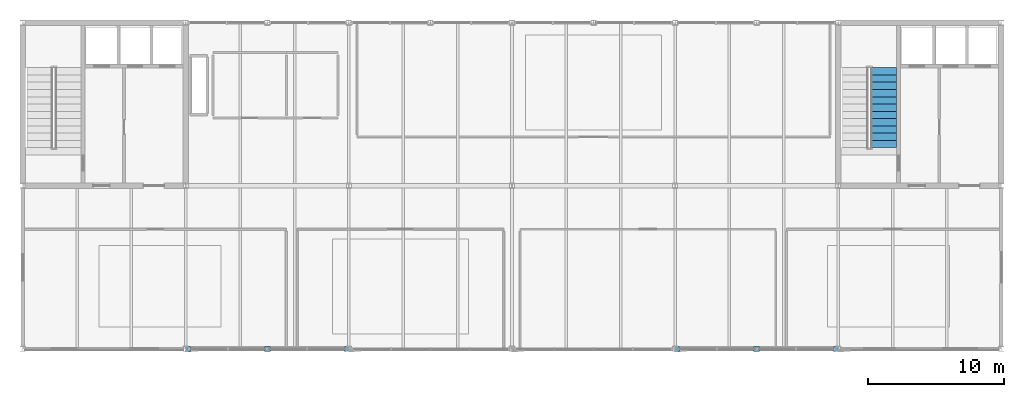
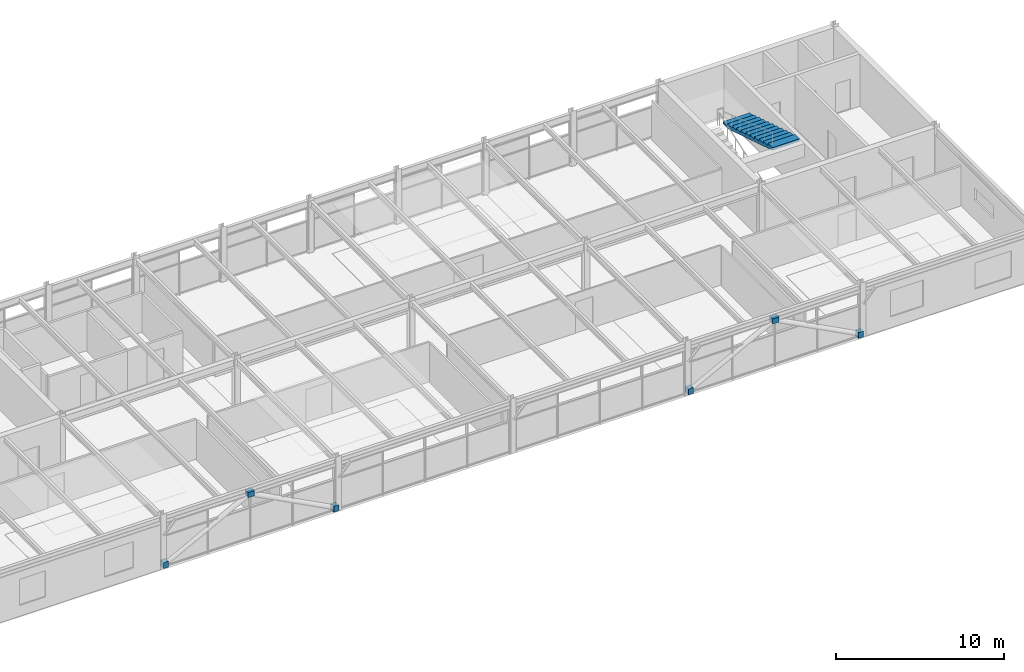
# One storey, part 21 of 23: 6 discrete accessories, 1 stair flight, 1 element without a shape of its own.
"""IFC4 building model written with IfcOpenShell, lengths in metres."""

from ifc_helpers import new_model, si_unit, direction, frame, origin, origin_2d, place, context, subcontext, project, spatial, polyline, rectangle, outline, extrude, material, type_object, element, aggregate, save


model = new_model("IFC4")

# Units and contexts
model_context = context("Model", 3, precision=1e-05, world=origin(), true_north=direction((0.0, 1.0)))
body_context = subcontext(model_context, "Body", "Model", "MODEL_VIEW")
ifc_project = project(units=[si_unit("LENGTHUNIT", "METRE"), si_unit("AREAUNIT", "SQUARE_METRE"), si_unit("VOLUMEUNIT", "CUBIC_METRE"), si_unit("PLANEANGLEUNIT", "RADIAN"), si_unit("MASSUNIT", "GRAM", prefix="KILO")], contexts=[model_context])

# Site, building, storey
site_placement = place(None, origin())
site = spatial("IfcSite", under=ifc_project, at=site_placement, CompositionType="ELEMENT")
building_placement = place(site_placement, origin())
building = spatial("IfcBuilding", under=site, at=building_placement, Name="Girod Span Mobility Hub", CompositionType="ELEMENT")
storey_placement = place(building_placement, frame((0.0, 0.0, 65.60009765625)))
storey = spatial("IfcBuildingStorey", under=building, at=storey_placement, Name="L16", CompositionType="ELEMENT", Elevation=65.60009765625)

# Stair, stair flight
ifc_material_1 = material(Name="Concrete C40/50", Category="concrete")
stair_type = type_object("IfcStairType", Name="STR-4000-W1860", PredefinedType="HALF_TURN_STAIR", material=ifc_material_1)
stair_placement = place(storey_placement, origin())
stair = element("IfcStair", 1, at=stair_placement, inside=storey, type_object=stair_type, Name="Exit Stair ST-2 L16", PredefinedType="HALF_TURN_STAIR")
ifc_material_2 = material(Name="Concrete C40/50", Category="concrete")
stair_flight_type = type_object("IfcStairFlightType", Name="STF-2000-W1860", PredefinedType="STRAIGHT", material=ifc_material_2)
stair_flight_placement = place(storey_placement, frame((111.35009765625, 65.68994140625, 2.0), z_axis=(0.0, 0.0, 1.0), x_axis=(0.0, -1.0, 0.0)))
stair_flight = element("IfcStairFlight", 2, at=stair_flight_placement, type_object=stair_flight_type, Name="Stair ST-2 Flight 2 L16", NumberOfRisers=12, NumberOfTreads=11, PredefinedType="STRAIGHT", RiserHeight=0.16667, TreadLength=0.53455, context=body_context, shape_type="SweptSolid", body=[
    extrude(outline(polyline([(0.0, 0.0), (0.0, 0.166748046875), (0.53466796875, 0.166748046875), (0.53466796875, 0.333251953125), (1.069091796875, 0.333251953125), (1.069091796875, 0.5), (1.603759765625, 0.5), (1.603759765625, 0.666748046875), (2.13818359375, 0.666748046875), (2.13818359375, 0.833251953125), (2.6728515625, 0.833251953125), (2.6728515625, 1.0), (3.207275390625, 1.0), (3.207275390625, 1.166748046875), (3.741943359375, 1.166748046875), (3.741943359375, 1.333251953125), (4.2763671875, 1.333251953125), (4.2763671875, 1.5), (4.81103515625, 1.5), (4.81103515625, 1.666748046875), (5.345458984375, 1.666748046875), (5.345458984375, 1.833251953125), (5.880126953125, 1.833251953125), (5.880126953125, 2.0), (5.880126953125, 1.634521484375), (0.63818359375, 0.0), (0.0, 0.0)])), frame((0.0, 0.93017578125, 0.0), z_axis=(0.0, -1.0, 0.0), x_axis=(1.0, 0.0, 0.0)), (0.0, 0.0, 1.0), 1.860107421875),
])
aggregate(stair, [stair_flight])

# Discrete accessories
ifc_material_3 = material(Name="Steel HSS A500 Grade C", Category="steel")
discrete_accessory_type = type_object("IfcDiscreteAccessoryType", Name="ACC-CAP-HSS324", PredefinedType="BRACKET", material=ifc_material_3)
for number, where, z_axis, x_axis, name in (
    (3, (60.162353515625, 45.0, 0.0400390625), (0.0, 0.0, 1.0), (1.0, 0.0, 0.0), "Diagrid Brace End Cap Gusset 6/D-L L16"),
    (4, (71.837646484375, 45.0, 0.0400390625), (0.0, 0.0, 1.0), (1.0, 0.0, 0.0), "Diagrid Brace End Cap Gusset 6/D-R L16"),
):
    element("IfcDiscreteAccessory", number, at=place(storey_placement, frame(where, z_axis=z_axis, x_axis=x_axis)), inside=storey, type_object=discrete_accessory_type, Name=name, PredefinedType="BRACKET", context=body_context, shape_type="SweptSolid", body=[
        extrude(rectangle(XDim=0.344482421875, YDim=0.360107421875, at=origin_2d()), origin(), (0.0, 0.0, 1.0), 0.419921875),
    ])
discrete_accessory_1_placement = place(storey_placement, frame((66.0, 45.0, 3.14599609375), z_axis=(0.0, 0.0, 1.0), x_axis=(1.0, 0.0, 0.0)))
element("IfcDiscreteAccessory", 5, at=discrete_accessory_1_placement, inside=storey, type_object=discrete_accessory_type, Name="Diagrid Brace Apex End Cap Gusset 6/D-M L16", PredefinedType="BRACKET", context=body_context, shape_type="SweptSolid", body=[
    extrude(rectangle(XDim=0.43994140625, YDim=0.360107421875, at=origin_2d()), origin(), (0.0, 0.0, 1.0), 0.3798828125),
])
for number, where, z_axis, x_axis, name in (
    (6, (96.162353515625, 45.0, 0.0400390625), (0.0, 0.0, 1.0), (1.0, 0.0, 0.0), "Diagrid Brace End Cap Gusset 9/D-L L16"),
    (7, (107.837646484375, 45.0, 0.0400390625), (0.0, 0.0, 1.0), (1.0, 0.0, 0.0), "Diagrid Brace End Cap Gusset 9/D-R L16"),
):
    element("IfcDiscreteAccessory", number, at=place(storey_placement, frame(where, z_axis=z_axis, x_axis=x_axis)), inside=storey, type_object=discrete_accessory_type, Name=name, PredefinedType="BRACKET", context=body_context, shape_type="SweptSolid", body=[
        extrude(rectangle(XDim=0.344482421875, YDim=0.360107421875, at=origin_2d()), origin(), (0.0, 0.0, 1.0), 0.419921875),
    ])
discrete_accessory_2_placement = place(storey_placement, frame((102.0, 45.0, 3.14599609375), z_axis=(0.0, 0.0, 1.0), x_axis=(1.0, 0.0, 0.0)))
element("IfcDiscreteAccessory", 8, at=discrete_accessory_2_placement, inside=storey, type_object=discrete_accessory_type, Name="Diagrid Brace Apex End Cap Gusset 9/D-M L16", PredefinedType="BRACKET", context=body_context, shape_type="SweptSolid", body=[
    extrude(rectangle(XDim=0.43994140625, YDim=0.360107421875, at=origin_2d()), origin(), (0.0, 0.0, 1.0), 0.3798828125),
])

save(model, "model.ifc")
